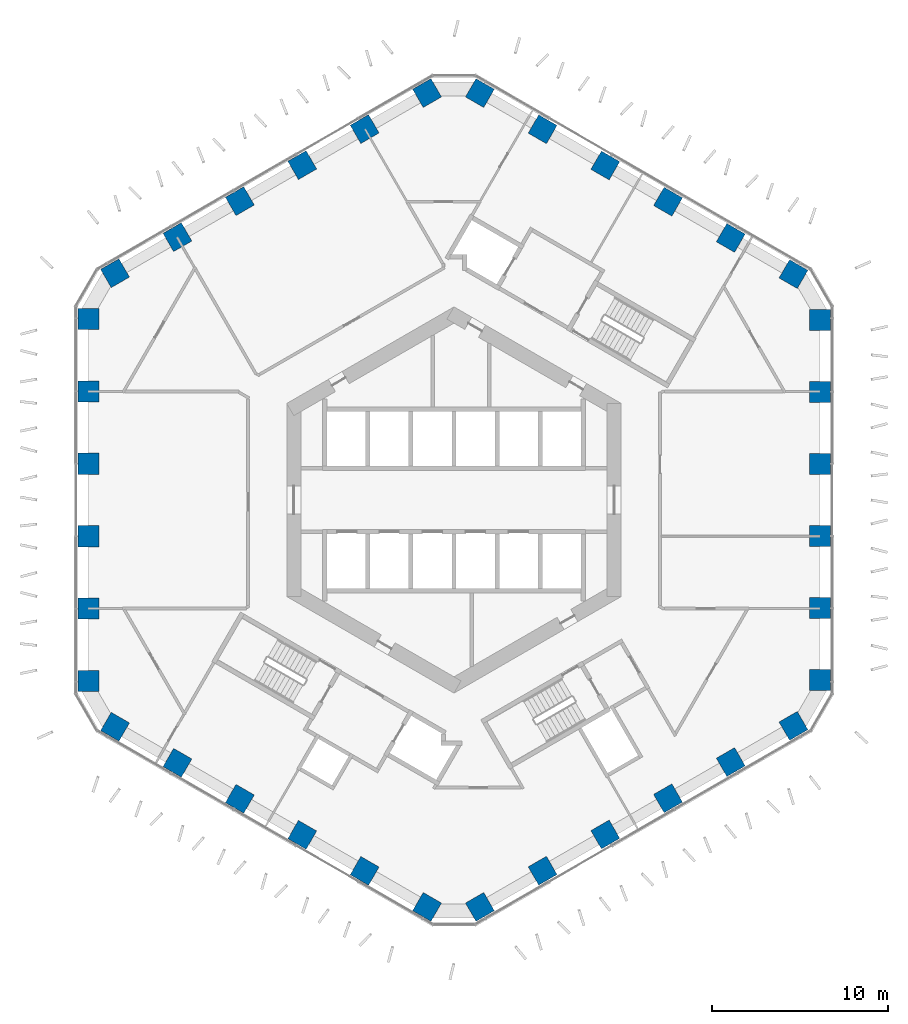
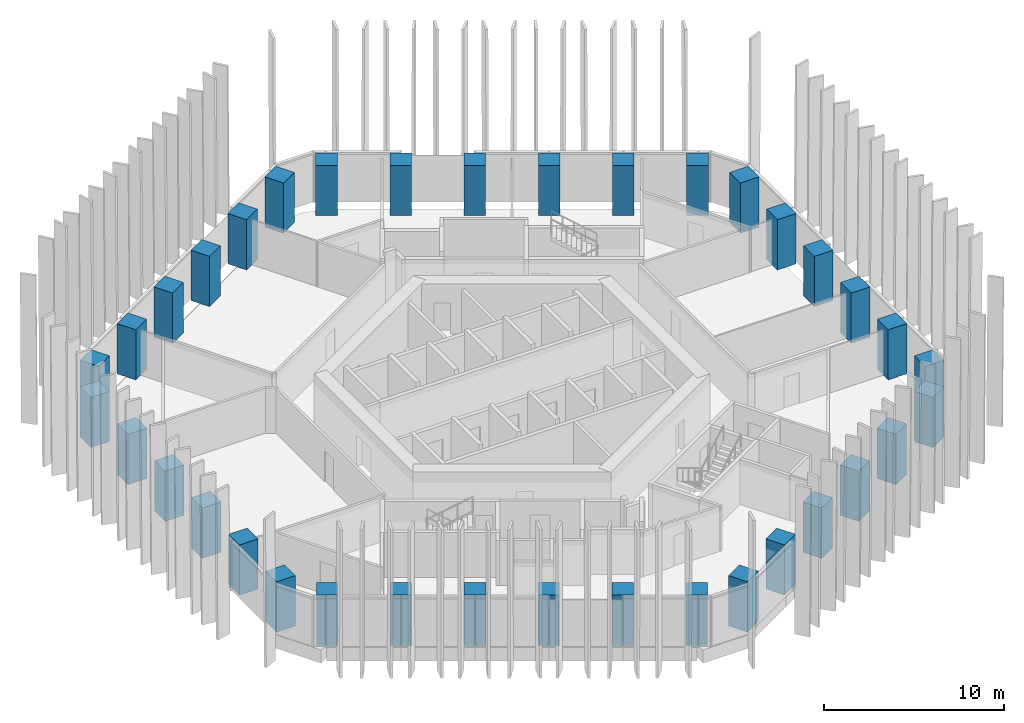
# One storey, part 1 of 18: 36 columns.
"""IFC4 building model written with IfcOpenShell, lengths in metres."""

from ifc_helpers import new_model, si_unit, direction, frame, origin, origin_2d, place, context, subcontext, project, spatial, rectangle, extrude, material, material_profile, profile_set, type_object, element, save


model = new_model("IFC4")

# Units and contexts
model_context = context("Model", 3, precision=1e-05, world=origin(), true_north=direction((0.0, 1.0)))
body_context = subcontext(model_context, "Body", "Model", "MODEL_VIEW")
ifc_project = project(units=[si_unit("LENGTHUNIT", "METRE"), si_unit("AREAUNIT", "SQUARE_METRE"), si_unit("VOLUMEUNIT", "CUBIC_METRE"), si_unit("PLANEANGLEUNIT", "RADIAN"), si_unit("MASSUNIT", "GRAM", prefix="KILO")], contexts=[model_context])

# Site, building, storey
site_placement = place(None, origin())
site = spatial("IfcSite", under=ifc_project, at=site_placement, CompositionType="ELEMENT")
building_placement = place(site_placement, origin())
building = spatial("IfcBuilding", under=site, at=building_placement, Name="Ayvan Gate Tower", CompositionType="ELEMENT")
storey_placement = place(building_placement, frame((0.0, 0.0, 25.5)))
storey = spatial("IfcBuildingStorey", under=building, at=storey_placement, Name="L05", CompositionType="ELEMENT", Elevation=25.5)

# Columns
ifc_material = material(Name="Concrete C70/85", Category="concrete")
ifc_material_profile = material_profile(ifc_material, rectangle(XDim=1.199951171875, YDim=1.199951171875, at=origin_2d()), Name="RC 1200x1200")
ifc_profile_set = profile_set([ifc_material_profile], Name="Concrete C70/85")
column_type = type_object("IfcColumnType", Name="Tube column RC 1200x1200 C70/85", PredefinedType="COLUMN", material=ifc_profile_set)
for number, where, z_axis, x_axis, name in (
    (1, (20.78466796875, -10.233642578125, 0.0), (0.0, 0.0, 1.0), (1.0, 0.0, 0.0), "C-T0-0-L05"),
    (2, (20.78466796875, -6.14013671875, 0.0), (0.0, 0.0, 1.0), (1.0, 0.0, 0.0), "C-T0-1-L05"),
    (3, (20.78466796875, -2.046630859375, 0.0), (0.0, 0.0, 1.0), (1.0, 0.0, 0.0), "C-T0-2-L05"),
    (4, (20.78466796875, 2.046630859375, 0.0), (0.0, 0.0, 1.0), (1.0, 0.0, 0.0), "C-T0-3-L05"),
    (5, (20.78466796875, 6.14013671875, 0.0), (0.0, 0.0, 1.0), (1.0, 0.0, 0.0), "C-T0-4-L05"),
    (6, (20.78466796875, 10.233642578125, 0.0), (0.0, 0.0, 1.0), (1.0, 0.0, 0.0), "C-T0-5-L05"),
    (7, (19.28466796875, 12.831787109375, 0.0), (0.0, 0.0, 1.0), (0.5, 0.866025403784, 0.0), "C-T1-0-L05"),
    (8, (15.7216796875, 14.888671875, 0.0), (0.0, 0.0, 1.0), (0.5, 0.866025403784, 0.0), "C-T1-1-L05"),
    (9, (12.158935546875, 16.94580078125, 0.0), (0.0, 0.0, 1.0), (0.5, 0.866025403784, 0.0), "C-T1-2-L05"),
    (10, (8.595947265625, 19.0029296875, 0.0), (0.0, 0.0, 1.0), (0.5, 0.866025403784, 0.0), "C-T1-3-L05"),
    (11, (5.033203125, 21.059814453125, 0.0), (0.0, 0.0, 1.0), (0.5, 0.866025403784, 0.0), "C-T1-4-L05"),
    (12, (1.47021484375, 23.116943359375, 0.0), (0.0, 0.0, 1.0), (0.5, 0.866025403784, 0.0), "C-T1-5-L05"),
    (13, (-1.52978515625, 23.116943359375, 0.0), (0.0, 0.0, 1.0), (-0.5, 0.866025403784, 0.0), "C-T2-0-L05"),
    (14, (-5.07470703125, 21.070068359375, 0.0), (0.0, 0.0, 1.0), (-0.5, 0.866025403784, 0.0), "C-T2-1-L05"),
    (15, (-8.619873046875, 19.0234375, 0.0), (0.0, 0.0, 1.0), (-0.5, 0.866025403784, 0.0), "C-T2-2-L05"),
    (16, (-12.164794921875, 16.9765625, 0.0), (0.0, 0.0, 1.0), (-0.5, 0.866025403784, 0.0), "C-T2-3-L05"),
    (17, (-15.7099609375, 14.929931640625, 0.0), (0.0, 0.0, 1.0), (-0.5, 0.866025403784, 0.0), "C-T2-4-L05"),
    (18, (-19.2548828125, 12.883056640625, 0.0), (0.0, 0.0, 1.0), (-0.5, 0.866025403784, 0.0), "C-T2-5-L05"),
    (19, (-20.7548828125, 10.28515625, 0.0), (0.0, 0.0, 1.0), (-1.0, 0.0, 0.0), "C-T3-0-L05"),
    (20, (-20.7548828125, 6.171142578125, 0.0), (0.0, 0.0, 1.0), (-1.0, 0.0, 0.0), "C-T3-1-L05"),
    (21, (-20.7548828125, 2.05712890625, 0.0), (0.0, 0.0, 1.0), (-1.0, 0.0, 0.0), "C-T3-2-L05"),
    (22, (-20.7548828125, -2.05712890625, 0.0), (0.0, 0.0, 1.0), (-1.0, 0.0, 0.0), "C-T3-3-L05"),
    (23, (-20.7548828125, -6.171142578125, 0.0), (0.0, 0.0, 1.0), (-1.0, 0.0, 0.0), "C-T3-4-L05"),
    (24, (-20.7548828125, -10.28515625, 0.0), (0.0, 0.0, 1.0), (-1.0, 0.0, 0.0), "C-T3-5-L05"),
    (25, (-19.2548828125, -12.883056640625, 0.0), (0.0, 0.0, 1.0), (-0.5, -0.866025403784, 0.0), "C-T4-0-L05"),
    (26, (-15.7099609375, -14.929931640625, 0.0), (0.0, 0.0, 1.0), (-0.5, -0.866025403784, 0.0), "C-T4-1-L05"),
    (27, (-12.164794921875, -16.9765625, 0.0), (0.0, 0.0, 1.0), (-0.5, -0.866025403784, 0.0), "C-T4-2-L05"),
    (28, (-8.619873046875, -19.0234375, 0.0), (0.0, 0.0, 1.0), (-0.5, -0.866025403784, 0.0), "C-T4-3-L05"),
    (29, (-5.07470703125, -21.070068359375, 0.0), (0.0, 0.0, 1.0), (-0.5, -0.866025403784, 0.0), "C-T4-4-L05"),
    (30, (-1.52978515625, -23.116943359375, 0.0), (0.0, 0.0, 1.0), (-0.5, -0.866025403784, 0.0), "C-T4-5-L05"),
    (31, (1.47021484375, -23.116943359375, 0.0), (0.0, 0.0, 1.0), (0.5, -0.866025403784, 0.0), "C-T5-0-L05"),
    (32, (5.033203125, -21.059814453125, 0.0), (0.0, 0.0, 1.0), (0.5, -0.866025403784, 0.0), "C-T5-1-L05"),
    (33, (8.595947265625, -19.0029296875, 0.0), (0.0, 0.0, 1.0), (0.5, -0.866025403784, 0.0), "C-T5-2-L05"),
    (34, (12.158935546875, -16.94580078125, 0.0), (0.0, 0.0, 1.0), (0.5, -0.866025403784, 0.0), "C-T5-3-L05"),
    (35, (15.7216796875, -14.888671875, 0.0), (0.0, 0.0, 1.0), (0.5, -0.866025403784, 0.0), "C-T5-4-L05"),
    (36, (19.28466796875, -12.831787109375, 0.0), (0.0, 0.0, 1.0), (0.5, -0.866025403784, 0.0), "C-T5-5-L05"),
):
    element("IfcColumn", number, at=place(storey_placement, frame(where, z_axis=z_axis, x_axis=x_axis)), inside=storey, type_object=column_type, Name=name, PredefinedType="COLUMN", context=body_context, shape_type="SweptSolid", body=[
        extrude(rectangle(XDim=1.199951171875, YDim=1.199951171875, at=origin_2d()), origin(), (0.0, 0.0, 1.0), 3.39990234375),
    ])

save(model, "model.ifc")
